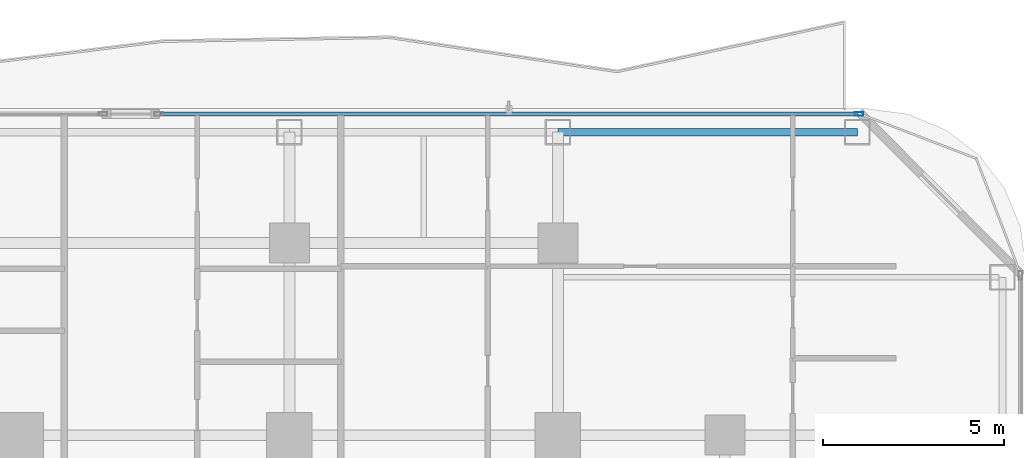
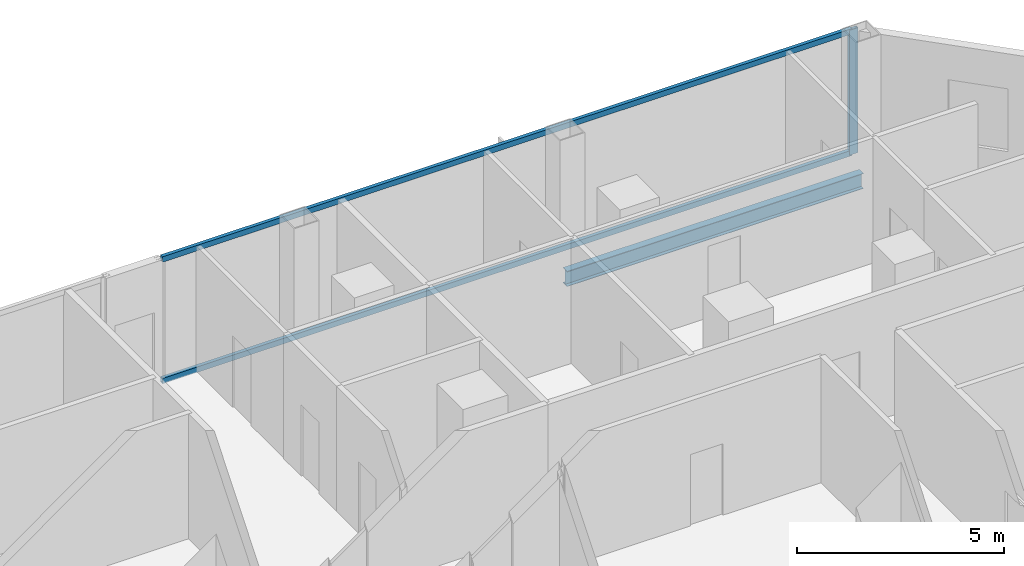
# One storey, part 15 of 29: 3 members, 1 beam, 1 element without a shape of its own.
"""IFC4 building model written with IfcOpenShell, lengths in metres."""

from ifc_helpers import new_model, si_unit, direction, frame, origin, origin_2d, place, context, subcontext, project, spatial, hollow_rectangle, i_section, extrude, material, layer, layer_set, material_profile, profile_set, type_object, element, aggregate, save


model = new_model("IFC4")

# Units and contexts
model_context = context("Model", 3, precision=1e-05, world=origin(), true_north=direction((0.0, 1.0)))
body_context = subcontext(model_context, "Body", "Model", "MODEL_VIEW")
ifc_project = project(units=[si_unit("LENGTHUNIT", "METRE"), si_unit("AREAUNIT", "SQUARE_METRE"), si_unit("VOLUMEUNIT", "CUBIC_METRE"), si_unit("PLANEANGLEUNIT", "RADIAN"), si_unit("MASSUNIT", "GRAM", prefix="KILO")], contexts=[model_context])

# Site, building, storey
site_placement = place(None, origin())
site = spatial("IfcSite", under=ifc_project, at=site_placement, CompositionType="ELEMENT")
building_placement = place(site_placement, origin())
building = spatial("IfcBuilding", under=site, at=building_placement, Name="Khorvyn Point Tower", CompositionType="ELEMENT")
storey_placement = place(building_placement, frame((0.0, 0.0, 144.60009765625)))
storey = spatial("IfcBuildingStorey", under=building, at=storey_placement, Name="L36", CompositionType="ELEMENT", Elevation=144.60009765625)

# Curtain wall, members
ifc_material_1 = material(Name="Anodised aluminium 6063-T6 and laminated Low-E glass", Category="aluminium")
ifc_layer = layer(ifc_material_1, 0.18994140625)
ifc_layer_set = layer_set([ifc_layer], Name="Stick-Built Acoustic Curtain Wall CW-SYS-03")
curtain_wall_type = type_object("IfcCurtainWallType", Name="Stick-Built Acoustic Curtain Wall CW-SYS-03", PredefinedType="NOTDEFINED", material=ifc_layer_set)
curtain_wall_placement = place(storey_placement, origin())
curtain_wall = element("IfcCurtainWall", 1, at=curtain_wall_placement, inside=storey, type_object=curtain_wall_type, Name="Curtain Wall", PredefinedType="NOTDEFINED")
ifc_material_2 = material(Name="Anodised aluminium 6063-T6", Category="aluminium")
ifc_material_profile_1 = material_profile(ifc_material_2, hollow_rectangle(XDim=0.10009765625, YDim=0.239990234375, WallThickness=0.0048828125, at=origin_2d()))
ifc_profile_set_1 = profile_set([ifc_material_profile_1], Name="Anodised aluminium 6063-T6 ALU-MUL-100x240")
member_type_1 = type_object("IfcMemberType", Name="Anodised Aluminium 6063-T6 Mullion ALU-MUL-100x240", PredefinedType="MULLION", material=ifc_profile_set_1)
member_1_placement = place(storey_placement, frame((23.10009765625, 23.64990234375, 0.0), z_axis=(0.0, 0.0, 1.0), x_axis=(0.0, 1.0, 0.0)))
member_1 = element("IfcMember", 2, at=member_1_placement, type_object=member_type_1, Name="Transom", PredefinedType="MULLION", context=body_context, shape_type="SweptSolid", body=[
    extrude(hollow_rectangle(XDim=0.10009765625, YDim=0.239990234375, WallThickness=0.0048828125, at=origin_2d()), origin(), (0.0, 0.0, 1.0), 3.679931640625),
])
ifc_material_profile_2 = material_profile(ifc_material_2, hollow_rectangle(XDim=0.10009765625, YDim=0.159912109375, WallThickness=0.00439453125, at=origin_2d()))
ifc_profile_set_2 = profile_set([ifc_material_profile_2], Name="Anodised aluminium 6063-T6 ALU-TRN-100x160")
member_type_2 = type_object("IfcMemberType", Name="Anodised Aluminium 6063-T6 Transom ALU-TRN-100x160", PredefinedType="USERDEFINED", material=ifc_profile_set_2)
member_2_placement = place(storey_placement, frame((3.85205078125, 23.64990234375, 0.0498046875), z_axis=(1.0, 0.0, 0.0), x_axis=(0.0, 1.0, 0.0)))
member_2 = element("IfcMember", 3, at=member_2_placement, type_object=member_type_2, Name="Transom", ObjectType="TRANSOM", PredefinedType="USERDEFINED", context=body_context, shape_type="SweptSolid", body=[
    extrude(hollow_rectangle(XDim=0.10009765625, YDim=0.159912109375, WallThickness=0.00439453125, at=origin_2d()), origin(), (0.0, 0.0, 1.0), 19.197998046875),
])
member_3_placement = place(storey_placement, frame((3.85205078125, 23.64990234375, 3.6298828125), z_axis=(1.0, 0.0, 0.0), x_axis=(0.0, 1.0, 0.0)))
member_3 = element("IfcMember", 4, at=member_3_placement, type_object=member_type_2, Name="Transom", ObjectType="TRANSOM", PredefinedType="USERDEFINED", context=body_context, shape_type="SweptSolid", body=[
    extrude(hollow_rectangle(XDim=0.10009765625, YDim=0.159912109375, WallThickness=0.00439453125, at=origin_2d()), origin(), (0.0, 0.0, 1.0), 19.197998046875),
])
aggregate(curtain_wall, [member_1, member_2, member_3])

# Beam
ifc_material_3 = material(Name="Steel S355", Category="steel")
ifc_material_profile_3 = material_profile(ifc_material_3, i_section(OverallWidth=0.199951171875, OverallDepth=0.449951171875, WebThickness=0.009033203125, FlangeThickness=0.013916015625, at=origin_2d()))
ifc_profile_set_3 = profile_set([ifc_material_profile_3], Name="Steel S355 H450x200x9x14")
beam_type = type_object("IfcBeamType", Name="Steel S355 Spandrel H450x200x9x14", PredefinedType="SPANDREL", material=ifc_profile_set_3)
beam_placement = place(storey_placement, frame((14.800048828125, 23.14990234375, -0.445068359375), z_axis=(1.0, 0.0, 0.0), x_axis=(0.0, 1.0, 0.0)))
element("IfcBeam", 5, at=beam_placement, inside=storey, type_object=beam_type, Name="Beam", PredefinedType="SPANDREL", context=body_context, shape_type="SweptSolid", body=[
    extrude(i_section(OverallWidth=0.199951171875, OverallDepth=0.449951171875, WebThickness=0.009033203125, FlangeThickness=0.013916015625, at=origin_2d()), origin(), (0.0, 0.0, 1.0), 8.25),
])

save(model, "model.ifc")
